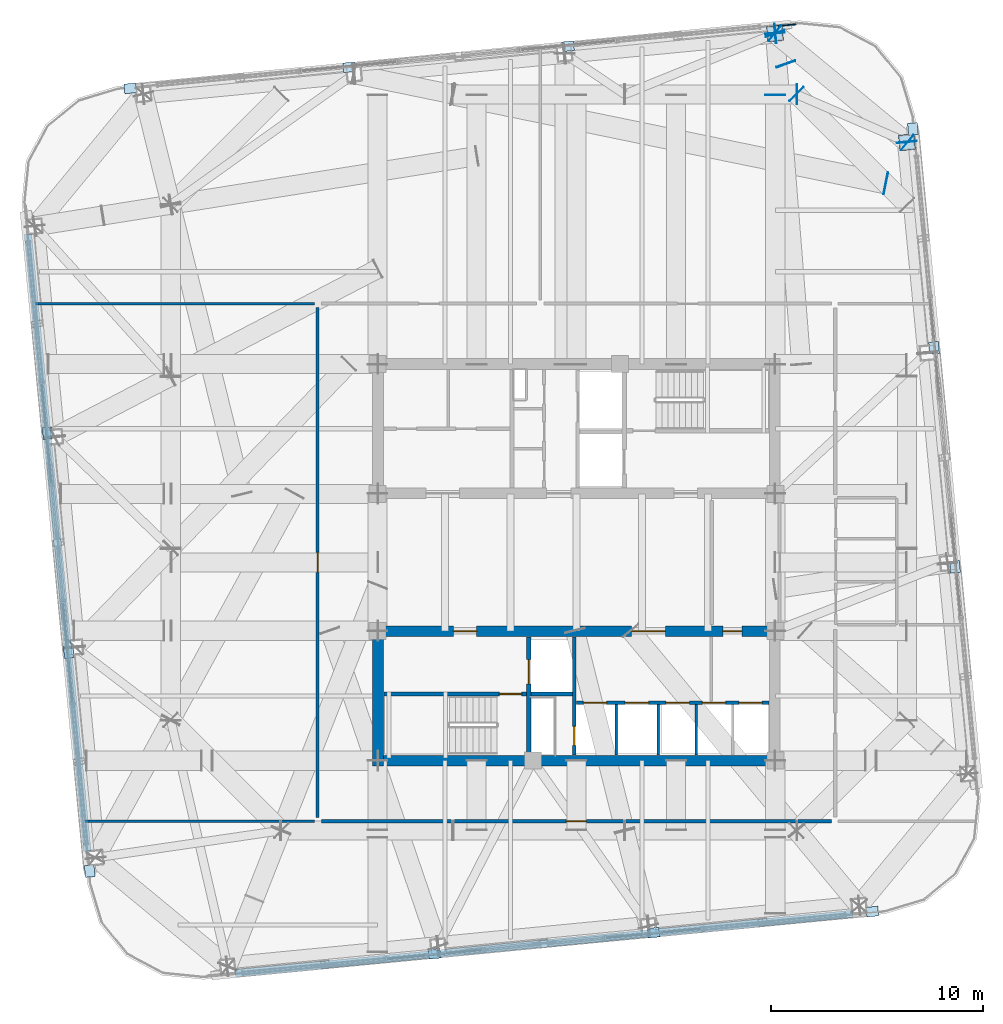
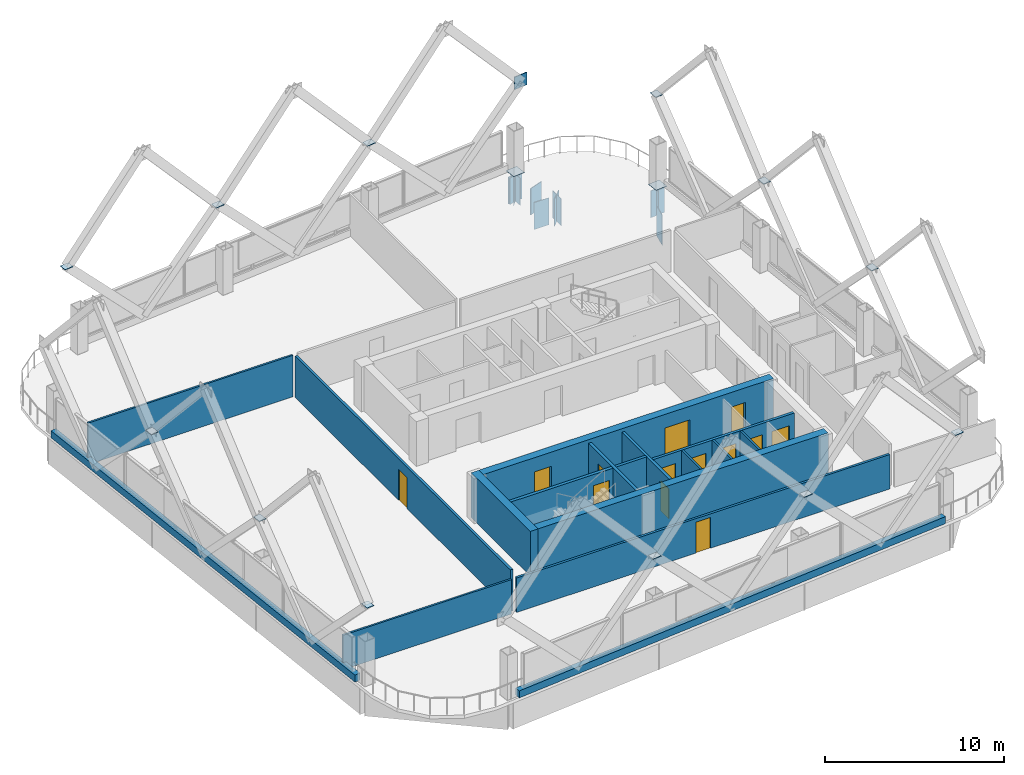
# One storey, part 32 of 37: 26 plates, 17 walls, 13 doors, 13 openings.
"""IFC4 building model written with IfcOpenShell, lengths in metres."""

from ifc_helpers import new_model, si_unit, direction, frame, frame_2d, origin, origin_2d, place, context, subcontext, project, spatial, rectangle, extrude, material, layer, layer_set, type_object, element, fill, save


model = new_model("IFC4")

# Units and contexts
model_context = context("Model", 3, precision=1e-05, world=origin(), true_north=direction((0.0, 1.0)))
body_context = subcontext(model_context, "Body", "Model", "MODEL_VIEW")
ifc_project = project(units=[si_unit("LENGTHUNIT", "METRE"), si_unit("AREAUNIT", "SQUARE_METRE"), si_unit("VOLUMEUNIT", "CUBIC_METRE"), si_unit("PLANEANGLEUNIT", "RADIAN"), si_unit("MASSUNIT", "GRAM", prefix="KILO")], contexts=[model_context])

# Site, building, storey
site_placement = place(None, origin())
site = spatial("IfcSite", under=ifc_project, at=site_placement, CompositionType="ELEMENT")
building_placement = place(site_placement, origin())
building = spatial("IfcBuilding", under=site, at=building_placement, Name="Qhalaya Broadcast Tower", CompositionType="ELEMENT")
storey_placement = place(building_placement, frame((0.0, 0.0, 156.14990234375)))
storey = spatial("IfcBuildingStorey", under=building, at=storey_placement, Name="L45", CompositionType="ELEMENT", Elevation=156.14990234375)

# Plates
ifc_material_1 = material(Name="Structural Steel ASTM A572 Grade 50", Category="steel")
ifc_layer_1 = layer(ifc_material_1, 0.054931640625, Name="Structural Steel ASTM A572 Grade 50")
ifc_layer_set_1 = layer_set([ifc_layer_1], Name="Structural Steel ASTM A572 Grade 50")
plate_type_1 = type_object("IfcPlateType", Name="Exoskeleton Diamond Node Gusset Plate NP-01", PredefinedType="USERDEFINED", material=ifc_layer_set_1)
plate_1_placement = place(storey_placement, frame((9.926513671875, 25.923828125, 5.31494140625), z_axis=(0.0, 0.0, 1.0), x_axis=(0.995396198367, 0.09584575252, 0.0)))
element("IfcPlate", 1, at=plate_1_placement, inside=storey, type_object=plate_type_1, Name="Exoskeleton Diamond Node B4-N1-MDL", ObjectType="GUSSET_PLATE", PredefinedType="USERDEFINED", context=body_context, shape_type="SweptSolid", body=[
    extrude(rectangle(XDim=0.85009765625, YDim=0.054931640625, at=origin_2d()), origin(), (0.0, 0.0, 1.0), 0.85009765625),
])
ifc_layer_2 = layer(ifc_material_1, 0.4599609375, Name="Structural Steel ASTM A572 Grade 50")
ifc_layer_set_2 = layer_set([ifc_layer_2], Name="Structural Steel ASTM A572 Grade 50")
plate_type_2 = type_object("IfcPlateType", Name="Hollow Box Member End Cap Plate CP-01", PredefinedType="USERDEFINED", material=ifc_layer_set_2)
for number, where, z_axis, x_axis, name in (
    (2, (15.58056640625, 20.416259765625, -2.0400390625), (0.0, 0.0, 1.0), (-0.995396198367, -0.09584575252, 0.0), "L45 Hollow Girder End Cap L45-SPR-07-B"),
    (3, (15.59423828125, 20.39013671875, -2.0400390625), (0.0, 0.0, 1.0), (-0.636078220278, -0.771624583388, 0.0), "L45 Hollow Girder End Cap L45-SPR-08-A"),
    (4, (9.349609375, 25.5380859375, -2.0400390625), (0.0, 0.0, 1.0), (-0.636078220278, -0.771624583388, 0.0), "L45 Hollow Girder End Cap L45-SPR-08-B"),
    (5, (9.3779296875, 25.529296875, -2.0400390625), (0.0, 0.0, 1.0), (0.09584575252, -0.995396198367, 0.0), "L45 Hollow Girder End Cap L45-SPR-09-A"),
    (6, (10.36865234375, 22.67138671875, -2.0400390625), (0.0, 0.0, 1.0), (-0.707106781187, -0.707106781187, 0.0), "L45 Hollow Girder End Cap L45-TGL-08-B"),
    (7, (10.39599609375, 22.659912109375, -2.0400390625), (0.0, 0.0, 1.0), (0.0, -1.0, 0.0), "L45 Hollow Girder End Cap L45-TGL-09-A"),
    (8, (9.375, 22.635986328125, -2.0400390625), (0.0, 0.0, 1.0), (-1.0, 0.0, 0.0), "L45 Hollow Girder End Cap L45-TGINE-1-B"),
    (9, (9.360595703125, 25.543701171875, -2.0400390625), (0.0, 0.0, 1.0), (-0.996859552373, -0.079189853156, 0.0), "L45 Hollow Girder End Cap L45-TGA-09-B"),
):
    element("IfcPlate", number, at=place(storey_placement, frame(where, z_axis=z_axis, x_axis=x_axis)), inside=storey, type_object=plate_type_2, Name=name, ObjectType="COVER_PLATE", PredefinedType="USERDEFINED", context=body_context, shape_type="SweptSolid", body=[
        extrude(rectangle(XDim=0.93994140625, YDim=0.031982421875, at=origin_2d()), origin(), (0.0, 0.0, 1.0), 1.840087890625),
    ])
plate_2_placement = place(storey_placement, frame((9.362060546875, 25.52783203125, -2.02001953125), z_axis=(0.0, 0.0, 1.0), x_axis=(-0.942384867896, -0.334530657431, 0.0)))
element("IfcPlate", 10, at=plate_2_placement, inside=storey, type_object=plate_type_2, Name="L45 Transfer Box End Cap 09", ObjectType="COVER_PLATE", PredefinedType="USERDEFINED", context=body_context, shape_type="SweptSolid", body=[
    extrude(rectangle(XDim=0.919921875, YDim=0.035888671875, at=origin_2d()), origin(), (0.0, 0.0, 1.0), 1.800048828125),
])
plate_3_placement = place(storey_placement, frame((14.58447265625, 18.468017578125, -2.239990234375), z_axis=(0.0, 0.0, 1.0), x_axis=(-0.201248886216, -0.979540139962, 0.0)))
element("IfcPlate", 11, at=plate_3_placement, inside=storey, type_object=plate_type_2, Name="L45 Hollow Girder End Cap L45-TGA-11-A", ObjectType="COVER_PLATE", PredefinedType="USERDEFINED", context=body_context, shape_type="SweptSolid", body=[
    extrude(rectangle(XDim=1.0400390625, YDim=0.031982421875, at=origin_2d()), origin(), (0.0, 0.0, 1.0), 2.0400390625),
])
for number, where, z_axis, x_axis, name in (
    (12, (15.58203125, 20.400390625, -0.03173828125), (0.0, 0.0, 1.0), (-0.09584575252, 0.995396198367, 0.0), "L45 Hollow Box Column Base Cap Plate COL-EX08"),
    (13, (9.362060546875, 25.52783203125, -0.03173828125), (0.0, 0.0, 1.0), (0.995396198367, 0.09584575252, 0.0), "L45 Hollow Box Column Base Cap Plate COL-EX09"),
):
    element("IfcPlate", number, at=place(storey_placement, frame(where, z_axis=z_axis, x_axis=x_axis)), inside=storey, type_object=plate_type_2, Name=name, ObjectType="COVER_PLATE", PredefinedType="USERDEFINED", context=body_context, shape_type="SweptSolid", body=[
        extrude(rectangle(XDim=0.739990234375, YDim=0.739990234375, at=origin_2d()), origin(), (0.0, 0.0, 1.0), 0.031982421875),
    ])
for number, where, z_axis, x_axis, name in (
    (14, (-6.687744140625, -17.85009765625, 5.72412109375), (0.0, 0.0, 1.0), (0.995396198367, 0.09584575252, 0.0), "Exoskeleton Hollow End Cap B4-S1"),
    (15, (3.63134765625, -16.856689453125, 5.72412109375), (0.0, 0.0, 1.0), (0.995396198367, 0.09584575252, 0.0), "Exoskeleton Hollow End Cap B4-S2"),
    (16, (13.9501953125, -15.863037109375, 5.72412109375), (0.0, 0.0, 1.0), (0.995396198367, 0.09584575252, 0.0), "Exoskeleton Hollow End Cap B4-S3"),
    (17, (17.85009765625, 0.392333984375, 5.72412109375), (0.0, 0.0, 1.0), (-0.09584575252, 0.995396198367, 0.0), "Exoskeleton Hollow End Cap B4-E1"),
    (18, (16.856689453125, 10.711181640625, 5.72412109375), (0.0, 0.0, 1.0), (-0.09584575252, 0.995396198367, 0.0), "Exoskeleton Hollow End Cap B4-E2"),
    (19, (15.863037109375, 21.0302734375, 5.72412109375), (0.0, 0.0, 1.0), (-0.09584575252, 0.995396198367, 0.0), "Exoskeleton Hollow End Cap B4-E3"),
    (20, (-0.392333984375, 24.93017578125, 5.72412109375), (0.0, 0.0, 1.0), (0.995396198367, 0.09584575252, 0.0), "Exoskeleton Hollow End Cap B4-N1"),
    (21, (-10.711181640625, 23.9365234375, 5.72412109375), (0.0, 0.0, 1.0), (0.995396198367, 0.09584575252, 0.0), "Exoskeleton Hollow End Cap B4-N2"),
    (22, (-21.0302734375, 22.943115234375, 5.72412109375), (0.0, 0.0, 1.0), (0.995396198367, 0.09584575252, 0.0), "Exoskeleton Hollow End Cap B4-N3"),
    (23, (-24.93017578125, 6.687744140625, 5.72412109375), (0.0, 0.0, 1.0), (-0.09584575252, 0.995396198367, 0.0), "Exoskeleton Hollow End Cap B4-W1"),
    (24, (-23.9365234375, -3.63134765625, 5.72412109375), (0.0, 0.0, 1.0), (-0.09584575252, 0.995396198367, 0.0), "Exoskeleton Hollow End Cap B4-W2"),
    (25, (-22.943115234375, -13.9501953125, 5.72412109375), (0.0, 0.0, 1.0), (-0.09584575252, 0.995396198367, 0.0), "Exoskeleton Hollow End Cap B4-W3"),
):
    element("IfcPlate", number, at=place(storey_placement, frame(where, z_axis=z_axis, x_axis=x_axis)), inside=storey, type_object=plate_type_2, Name=name, ObjectType="COVER_PLATE", PredefinedType="USERDEFINED", context=body_context, shape_type="SweptSolid", body=[
        extrude(rectangle(XDim=0.56005859375, YDim=0.4599609375, at=origin_2d()), origin(), (0.0, 0.0, 1.0), 0.031982421875),
    ])
ifc_layer_3 = layer(ifc_material_1, 0.044921875, Name="Structural Steel ASTM A572 Grade 50")
ifc_layer_set_3 = layer_set([ifc_layer_3], Name="Structural Steel ASTM A572 Grade 50")
plate_type_3 = type_object("IfcPlateType", Name="Transfer Girder Web Stiffener Plate WS-01", PredefinedType="USERDEFINED", material=ifc_layer_set_3)
plate_4_placement = place(storey_placement, frame((9.87109375, 24.093994140625, -2.02001953125), z_axis=(0.0, 0.0, 1.0), x_axis=(-0.942384867896, -0.334530657431, 0.0)))
element("IfcPlate", 26, at=plate_4_placement, inside=storey, type_object=plate_type_3, Name="L45 Transfer Girder Stiffener 09", ObjectType="STIFFENER_PLATE", PredefinedType="USERDEFINED", context=body_context, shape_type="SweptSolid", body=[
    extrude(rectangle(XDim=0.93994140625, YDim=0.044921875, at=origin_2d()), origin(), (0.0, 0.0, 1.0), 1.800048828125),
])

# Wall, opening, door
ifc_material_2 = material(Name="Gypsum Acoustic Partition")
ifc_layer_4 = layer(ifc_material_2, 0.14990234375, Name="Gypsum Acoustic Partition")
ifc_layer_set_4 = layer_set([ifc_layer_4], Name="Gypsum Acoustic Partition")
wall_type_1 = type_object("IfcWallType", Name="Corridor & Tenancy Acoustic Partition 150", PredefinedType="PARTITIONING", material=ifc_layer_set_4)
wall_1_placement = place(storey_placement, frame((-12.02001953125, -11.60009765625, 0.0), z_axis=(0.0, 0.0, 1.0), x_axis=(1.0, 0.0, 0.0)))
wall_1 = element("IfcWall", 27, at=wall_1_placement, inside=storey, type_object=wall_type_1, Name="L45 Partition Wall W-COR-03", PredefinedType="PARTITIONING", context=body_context, shape_type="SweptSolid", body=[
    extrude(rectangle(XDim=24.0400390625, YDim=0.14990234375, at=frame_2d((12.02001953125, 0.0))), origin(), (0.0, 0.0, 1.0), 2.34716796875),
])
opening_1_placement = place(wall_1_placement, frame((11.544921875, 0.0, 0.0)))
opening_1 = element("IfcOpeningElement", 28, at=opening_1_placement, cuts=wall_1, Name="Opening D10", PredefinedType="OPENING", context=body_context, shape_type="SweptSolid", body=[
    extrude(rectangle(XDim=0.949951171875, YDim=2.10009765625, at=frame_2d((0.47509765625, 1.050048828125))), frame((0.0, 0.0869140625, 0.0), z_axis=(0.0, -1.0, 0.0), x_axis=(1.0, 0.0, 0.0)), (0.0, 0.0, 1.0), 0.173828125),
])
ifc_material_3 = material(Name="Timber Veneer Acoustic Door", Category="wood")
door_type_1 = type_object("IfcDoorType", Name="Cellular Office & Edit Booth Door D10", OperationType="NOTDEFINED", PredefinedType="DOOR", material=ifc_material_3)
door_1_placement = place(opening_1_placement, origin())
door_1 = element("IfcDoor", 29, at=door_1_placement, inside=storey, type_object=door_type_1, Name="L45 Door D-RM03", OperationType="SINGLE_SWING_LEFT", OverallHeight=2.10009765625, OverallWidth=0.949951171875, PredefinedType="DOOR", context=body_context, shape_type="SweptSolid", body=[
    extrude(rectangle(XDim=0.949951171875, YDim=2.10009765625, at=frame_2d((0.47509765625, 1.050048828125))), frame((0.0, 0.02490234375, 0.0), z_axis=(0.0, -1.0, 0.0), x_axis=(1.0, 0.0, 0.0)), (0.0, 0.0, 1.0), 0.050048828125),
])
fill(opening_1, door_1)

wall_2_placement = place(storey_placement, frame((-12.199951171875, -11.419921875, 0.0), z_axis=(0.0, 0.0, 1.0), x_axis=(0.0, 1.0, 0.0)))
wall_2 = element("IfcWall", 30, at=wall_2_placement, inside=storey, type_object=wall_type_1, Name="L45 Partition Wall W-COR-04", PredefinedType="PARTITIONING", context=body_context, shape_type="SweptSolid", body=[
    extrude(rectangle(XDim=24.0400390625, YDim=0.14990234375, at=frame_2d((12.02001953125, 0.0))), origin(), (0.0, 0.0, 1.0), 2.830078125),
])
opening_2_placement = place(wall_2_placement, frame((11.544921875, 0.0, 0.0)))
opening_2 = element("IfcOpeningElement", 31, at=opening_2_placement, cuts=wall_2, Name="Opening D10", PredefinedType="OPENING", context=body_context, shape_type="SweptSolid", body=[
    extrude(rectangle(XDim=0.949951171875, YDim=2.10009765625, at=frame_2d((0.47509765625, 1.050048828125))), frame((0.0, 0.0869140625, 0.0), z_axis=(0.0, -1.0, 0.0), x_axis=(1.0, 0.0, 0.0)), (0.0, 0.0, 1.0), 0.173828125),
])
door_2_placement = place(opening_2_placement, origin())
door_2 = element("IfcDoor", 32, at=door_2_placement, inside=storey, type_object=door_type_1, Name="L45 Door D-RM04", OperationType="SINGLE_SWING_RIGHT", OverallHeight=2.10009765625, OverallWidth=0.949951171875, PredefinedType="DOOR", context=body_context, shape_type="SweptSolid", body=[
    extrude(rectangle(XDim=0.949951171875, YDim=2.10009765625, at=frame_2d((0.47509765625, 1.050048828125))), frame((0.0, 0.02490234375, 0.0), z_axis=(0.0, -1.0, 0.0), x_axis=(1.0, 0.0, 0.0)), (0.0, 0.0, 1.0), 0.050048828125),
])
fill(opening_2, door_2)

# Walls
ifc_material_4 = material(Name="Precast Concrete C40/50", Category="concrete")
ifc_layer_5 = layer(ifc_material_4, 0.360107421875, Name="Precast Concrete C40/50")
ifc_layer_set_5 = layer_set([ifc_layer_5], Name="Precast Concrete C40/50")
wall_type_2 = type_object("IfcWallType", Name="Insulated Precast Terracotta Exterior Wall 360", PredefinedType="SOLIDWALL", material=ifc_layer_set_5)
for number, where, z_axis, x_axis, name in (
    (33, (13.018310546875, -15.972900390625, 0.0), (0.0, 0.0, 1.0), (-0.995396867916, -0.09583879873, 0.0), "L45 Cantilever Block Sill Spandrel S"),
    (34, (-23.052734375, -13.018310546875, 0.0), (0.0, 0.0, 1.0), (-0.095847076136, 0.995396070917, 0.0), "L45 Cantilever Block Sill Spandrel W"),
):
    element("IfcWall", number, at=place(storey_placement, frame(where, z_axis=z_axis, x_axis=x_axis)), inside=storey, type_object=wall_type_2, Name=name, PredefinedType="SOLIDWALL", context=body_context, shape_type="SweptSolid", body=[
        extrude(rectangle(XDim=29.223876953125, YDim=0.360107421875, at=frame_2d((14.61181640625, 0.0))), origin(), (0.0, 0.0, 1.0), 0.47998046875),
    ])

# Wall, opening, door
ifc_material_5 = material(Name="Concrete C50/60", Category="concrete")
ifc_layer_6 = layer(ifc_material_5, 0.199951171875, Name="Concrete C50/60")
ifc_layer_set_6 = layer_set([ifc_layer_6], Name="Concrete C50/60")
wall_type_3 = type_object("IfcWallType", Name="Load-Bearing Stair Shaft Wall 200", PredefinedType="SHEAR", material=ifc_layer_set_6)
wall_3_placement = place(storey_placement, frame((-9.080078125, -5.60498046875, 0.0), z_axis=(0.0, 0.0, 1.0), x_axis=(1.0, 0.0, 0.0)))
wall_3 = element("IfcWall", 35, at=wall_3_placement, inside=storey, type_object=wall_type_3, Name="L45 Stair Core Shear Wall SCW-ST2", PredefinedType="SHEAR", context=body_context, shape_type="SweptSolid", body=[
    extrude(rectangle(XDim=6.719970703125, YDim=0.199951171875, at=frame_2d((3.35986328125, 0.0))), origin(), (0.0, 0.0, 1.0), 2.830078125),
])
opening_3_placement = place(wall_3_placement, frame((5.449951171875, 0.0, 0.0)))
opening_3 = element("IfcOpeningElement", 36, at=opening_3_placement, cuts=wall_3, Name="Opening D03", PredefinedType="OPENING", context=body_context, shape_type="SweptSolid", body=[
    extrude(rectangle(XDim=1.050048828125, YDim=2.080078125, at=frame_2d((0.52490234375, 1.0400390625))), frame((0.0, 0.112060546875, 0.0), z_axis=(0.0, -1.0, 0.0), x_axis=(1.0, 0.0, 0.0)), (0.0, 0.0, 1.0), 0.223876953125),
])
ifc_material_6 = material(Name="Fire-Rated Steel Door", Category="steel")
door_type_2 = type_object("IfcDoorType", Name="Core Stair Protected Fire Door D03", OperationType="NOTDEFINED", PredefinedType="DOOR", material=ifc_material_6)
door_3_placement = place(opening_3_placement, origin())
door_3 = element("IfcDoor", 37, at=door_3_placement, inside=storey, type_object=door_type_2, Name="L45 Door D-SST2", OperationType="SINGLE_SWING_RIGHT", OverallHeight=2.080078125, OverallWidth=1.050048828125, PredefinedType="DOOR", context=body_context, shape_type="SweptSolid", body=[
    extrude(rectangle(XDim=1.050048828125, YDim=2.080078125, at=frame_2d((0.52490234375, 1.0400390625))), frame((0.0, 0.02490234375, 0.0), z_axis=(0.0, -1.0, 0.0), x_axis=(1.0, 0.0, 0.0)), (0.0, 0.0, 1.0), 0.050048828125),
])
fill(opening_3, door_3)

wall_4_placement = place(storey_placement, frame((-2.25, -8.47998046875, 0.0), z_axis=(0.0, 0.0, 1.0), x_axis=(0.0, 1.0, 0.0)))
wall_4 = element("IfcWall", 38, at=wall_4_placement, inside=storey, type_object=wall_type_3, Name="L45 Stair Core Shear Wall SCW-FF", PredefinedType="SHEAR", context=body_context, shape_type="SweptSolid", body=[
    extrude(rectangle(XDim=5.56005859375, YDim=0.199951171875, at=frame_2d((2.780029296875, 0.0))), origin(), (0.0, 0.0, 1.0), 2.830078125),
])
opening_4_placement = place(wall_4_placement, frame((3.35009765625, 0.0, 0.0)))
opening_4 = element("IfcOpeningElement", 39, at=opening_4_placement, cuts=wall_4, Name="Opening LD2", PredefinedType="OPENING", context=body_context, shape_type="SweptSolid", body=[
    extrude(rectangle(XDim=1.14990234375, YDim=2.080078125, at=frame_2d((0.574951171875, 1.0400390625))), frame((0.0, 0.112060546875, 0.0), z_axis=(0.0, -1.0, 0.0), x_axis=(1.0, 0.0, 0.0)), (0.0, 0.0, 1.0), 0.223876953125),
])
ifc_material_7 = material(Name="Brushed Stainless Steel Lift Door", Category="steel")
door_type_3 = type_object("IfcDoorType", Name="Firefighting Lift Sliding Landing Door LD2", OperationType="DOUBLE_DOOR_SLIDING", PredefinedType="DOOR", material=ifc_material_7)
door_4_placement = place(opening_4_placement, origin())
door_4 = element("IfcDoor", 40, at=door_4_placement, inside=storey, type_object=door_type_3, Name="L45 Door LD-FF2", OperationType="DOUBLE_DOOR_SLIDING", OverallHeight=2.080078125, OverallWidth=1.14990234375, PredefinedType="DOOR", context=body_context, shape_type="SweptSolid", body=[
    extrude(rectangle(XDim=1.14990234375, YDim=2.080078125, at=frame_2d((0.574951171875, 1.0400390625))), frame((0.0, 0.02490234375, 0.0), z_axis=(0.0, -1.0, 0.0), x_axis=(1.0, 0.0, 0.0)), (0.0, 0.0, 1.0), 0.050048828125),
])
fill(opening_4, door_4)

# Wall
ifc_layer_7 = layer(ifc_material_5, 0.5, Name="Concrete C50/60")
ifc_layer_set_7 = layer_set([ifc_layer_7], Name="Concrete C50/60")
wall_type_4 = type_object("IfcWallType", Name="Mid Split-Core Shear Wall 500", PredefinedType="SHEAR", material=ifc_layer_set_7)
wall_5_placement = place(storey_placement, frame((-9.60009765625, -8.75, 0.0), z_axis=(0.0, 0.0, 1.0), x_axis=(1.0, 0.0, 0.0)))
element("IfcWall", 41, at=wall_5_placement, inside=storey, type_object=wall_type_4, Name="L45 Split-Core Shear Wall CW-SS", PredefinedType="SHEAR", context=body_context, shape_type="SweptSolid", body=[
    extrude(rectangle(XDim=19.2001953125, YDim=0.5, at=frame_2d((9.60009765625, 0.0))), origin(), (0.0, 0.0, 1.0), 3.050048828125),
])

# Wall, openings, doors
wall_6_placement = place(storey_placement, frame((-9.60009765625, -2.64990234375, 0.0), z_axis=(0.0, 0.0, 1.0), x_axis=(1.0, 0.0, 0.0)))
wall_6 = element("IfcWall", 42, at=wall_6_placement, inside=storey, type_object=wall_type_4, Name="L45 Split-Core Shear Wall CW-SN", PredefinedType="SHEAR", context=body_context, shape_type="SweptSolid", body=[
    extrude(rectangle(XDim=19.2001953125, YDim=0.5, at=frame_2d((9.60009765625, 0.0))), origin(), (0.0, 0.0, 1.0), 3.050048828125),
])
opening_5_placement = place(wall_6_placement, frame((3.800048828125, 0.0, 0.0)))
opening_5 = element("IfcOpeningElement", 43, at=opening_5_placement, cuts=wall_6, Name="Opening D04", PredefinedType="OPENING", context=body_context, shape_type="SweptSolid", body=[
    extrude(rectangle(XDim=1.10009765625, YDim=2.080078125, at=frame_2d((0.550048828125, 1.0400390625))), frame((0.0, 0.261962890625, 0.0), z_axis=(0.0, -1.0, 0.0), x_axis=(1.0, 0.0, 0.0)), (0.0, 0.0, 1.0), 0.52392578125),
])
opening_6_placement = place(wall_6_placement, frame((12.199951171875, 0.0, 0.0)))
opening_6 = element("IfcOpeningElement", 44, at=opening_6_placement, cuts=wall_6, Name="Opening D07", PredefinedType="OPENING", context=body_context, shape_type="SweptSolid", body=[
    extrude(rectangle(XDim=1.60009765625, YDim=2.1201171875, at=frame_2d((0.800048828125, 1.06005859375))), frame((0.0, 0.261962890625, 0.0), z_axis=(0.0, -1.0, 0.0), x_axis=(1.0, 0.0, 0.0)), (0.0, 0.0, 1.0), 0.52392578125),
])
opening_7_placement = place(wall_6_placement, frame((16.5, 0.0, 0.0)))
opening_7 = element("IfcOpeningElement", 45, at=opening_7_placement, cuts=wall_6, Name="Opening D06", PredefinedType="OPENING", context=body_context, shape_type="SweptSolid", body=[
    extrude(rectangle(XDim=0.89990234375, YDim=2.050048828125, at=frame_2d((0.449951171875, 1.02490234375))), frame((0.0, 0.261962890625, 0.0), z_axis=(0.0, -1.0, 0.0), x_axis=(1.0, 0.0, 0.0)), (0.0, 0.0, 1.0), 0.52392578125),
])
door_type_4 = type_object("IfcDoorType", Name="Firefighting Lobby Rated Door D04", OperationType="NOTDEFINED", PredefinedType="DOOR", material=ifc_material_6)
door_5_placement = place(opening_5_placement, origin())
door_5 = element("IfcDoor", 46, at=door_5_placement, inside=storey, type_object=door_type_4, Name="L45 Door D-SFF", OperationType="SINGLE_SWING_LEFT", OverallHeight=2.080078125, OverallWidth=1.10009765625, PredefinedType="DOOR", context=body_context, shape_type="SweptSolid", body=[
    extrude(rectangle(XDim=1.10009765625, YDim=2.080078125, at=frame_2d((0.550048828125, 1.0400390625))), frame((0.0, 0.02490234375, 0.0), z_axis=(0.0, -1.0, 0.0), x_axis=(1.0, 0.0, 0.0)), (0.0, 0.0, 1.0), 0.050048828125),
])
fill(opening_5, door_5)
ifc_material_8 = material(Name="Anodised Aluminium Glazed Door", Category="aluminium")
door_type_5 = type_object("IfcDoorType", Name="Passenger Lift Lobby Double Glazed Door D07", OperationType="DOUBLE_DOOR_SINGLE_SWING", PredefinedType="DOOR", material=ifc_material_8)
door_6_placement = place(opening_6_placement, origin())
door_6 = element("IfcDoor", 47, at=door_6_placement, inside=storey, type_object=door_type_5, Name="L45 Door D-SPLL", OperationType="DOUBLE_DOOR_SINGLE_SWING", OverallHeight=2.1201171875, OverallWidth=1.60009765625, PredefinedType="DOOR", context=body_context, shape_type="SweptSolid", body=[
    extrude(rectangle(XDim=1.60009765625, YDim=2.1201171875, at=frame_2d((0.800048828125, 1.06005859375))), frame((0.0, 0.02490234375, 0.0), z_axis=(0.0, -1.0, 0.0), x_axis=(1.0, 0.0, 0.0)), (0.0, 0.0, 1.0), 0.050048828125),
])
fill(opening_6, door_6)
door_type_6 = type_object("IfcDoorType", Name="Riser & Electrical Shaft Access Door D06", OperationType="NOTDEFINED", PredefinedType="DOOR", material=ifc_material_6)
door_7_placement = place(opening_7_placement, origin())
door_7 = element("IfcDoor", 48, at=door_7_placement, inside=storey, type_object=door_type_6, Name="L45 Door D-SSCST", OperationType="SINGLE_SWING_LEFT", OverallHeight=2.050048828125, OverallWidth=0.89990234375, PredefinedType="DOOR", context=body_context, shape_type="SweptSolid", body=[
    extrude(rectangle(XDim=0.89990234375, YDim=2.050048828125, at=frame_2d((0.449951171875, 1.02490234375))), frame((0.0, 0.02490234375, 0.0), z_axis=(0.0, -1.0, 0.0), x_axis=(1.0, 0.0, 0.0)), (0.0, 0.0, 1.0), 0.050048828125),
])
fill(opening_7, door_7)

# Walls
wall_7_placement = place(storey_placement, frame((-9.35009765625, -9.0, 0.0), z_axis=(0.0, 0.0, 1.0), x_axis=(0.0, 1.0, 0.0)))
element("IfcWall", 49, at=wall_7_placement, inside=storey, type_object=wall_type_4, Name="L45 Split-Core Shear Wall CW-SW", PredefinedType="SHEAR", context=body_context, shape_type="SweptSolid", body=[
    extrude(rectangle(XDim=6.60009765625, YDim=0.5, at=frame_2d((3.300048828125, 0.0))), origin(), (0.0, 0.0, 1.0), 3.050048828125),
])
ifc_layer_8 = layer(ifc_material_2, 0.1201171875, Name="Gypsum Acoustic Partition")
ifc_layer_set_8 = layer_set([ifc_layer_8], Name="Gypsum Acoustic Partition")
wall_type_5 = type_object("IfcWallType", Name="Office, Booth & Sanitary Partition 120", PredefinedType="PARTITIONING", material=ifc_layer_set_8)
for number, where, z_axis, x_axis, name in (
    (50, (1.8798828125, -8.47998046875, 0.0), (0.0, 0.0, 1.0), (0.0, 1.0, 0.0), "L45 Partition Wall SCW-MD4"),
    (51, (3.85009765625, -8.47998046875, 0.0), (0.0, 0.0, 1.0), (0.0, 1.0, 0.0), "L45 Partition Wall SCW-MD5"),
    (52, (5.639892578125, -8.47998046875, 0.0), (0.0, 0.0, 1.0), (0.0, 1.0, 0.0), "L45 Partition Wall SCW-HD6"),
):
    element("IfcWall", number, at=place(storey_placement, frame(where, z_axis=z_axis, x_axis=x_axis)), inside=storey, type_object=wall_type_5, Name=name, PredefinedType="PARTITIONING", context=body_context, shape_type="SweptSolid", body=[
        extrude(rectangle(XDim=2.3798828125, YDim=0.1201171875, at=frame_2d((1.18994140625, 0.0))), origin(), (0.0, 0.0, 1.0), 2.830078125),
    ])
wall_8_placement = place(storey_placement, frame((-25.558837890625, 12.800048828125, 0.0), z_axis=(0.0, 0.0, 1.0), x_axis=(1.0, 0.0, 0.0)))
element("IfcWall", 53, at=wall_8_placement, inside=storey, type_object=wall_type_5, Name="L45 Partition Wall W-BNDW1", PredefinedType="PARTITIONING", context=body_context, shape_type="SweptSolid", body=[
    extrude(rectangle(XDim=13.21875, YDim=0.1201171875, at=frame_2d((6.609375, 0.0))), origin(), (0.0, 0.0, 1.0), 2.830078125),
])
wall_9_placement = place(storey_placement, frame((-23.20947265625, -11.60009765625, 0.0), z_axis=(0.0, 0.0, 1.0), x_axis=(1.0, 0.0, 0.0)))
element("IfcWall", 54, at=wall_9_placement, inside=storey, type_object=wall_type_5, Name="L45 Partition Wall W-BNDW2", PredefinedType="PARTITIONING", context=body_context, shape_type="SweptSolid", body=[
    extrude(rectangle(XDim=10.869384765625, YDim=0.1201171875, at=frame_2d((5.4345703125, 0.0))), origin(), (0.0, 0.0, 1.0), 2.34716796875),
])

# Wall, opening, door
ifc_layer_9 = layer(ifc_material_2, 0.175048828125, Name="Gypsum Acoustic Partition")
ifc_layer_set_9 = layer_set([ifc_layer_9], Name="Gypsum Acoustic Partition")
wall_type_6 = type_object("IfcWallType", Name="Shaft & Riser Fire Partition 175", PredefinedType="PARTITIONING", material=ifc_layer_set_9)
wall_10_placement = place(storey_placement, frame((-0.10009765625, -8.47998046875, 0.0), z_axis=(0.0, 0.0, 1.0), x_axis=(0.0, 1.0, 0.0)))
wall_10 = element("IfcWall", 55, at=wall_10_placement, inside=storey, type_object=wall_type_6, Name="L45 Partition Wall SCW-FFE", PredefinedType="PARTITIONING", context=body_context, shape_type="SweptSolid", body=[
    extrude(rectangle(XDim=5.56005859375, YDim=0.175048828125, at=frame_2d((2.780029296875, 0.0))), origin(), (0.0, 0.0, 1.0), 2.830078125),
])
opening_8_placement = place(wall_10_placement, frame((0.449951171875, 0.0, 0.0)))
opening_8 = element("IfcOpeningElement", 56, at=opening_8_placement, cuts=wall_10, Name="Opening D06", PredefinedType="OPENING", context=body_context, shape_type="SweptSolid", body=[
    extrude(rectangle(XDim=0.89990234375, YDim=2.050048828125, at=frame_2d((0.449951171875, 1.02490234375))), frame((0.0, 0.099609375, 0.0), z_axis=(0.0, -1.0, 0.0), x_axis=(1.0, 0.0, 0.0)), (0.0, 0.0, 1.0), 0.198974609375),
])
door_8_placement = place(opening_8_placement, origin())
door_8 = element("IfcDoor", 57, at=door_8_placement, inside=storey, type_object=door_type_6, Name="L45 Riser Shaft Access Door D-SRSR", OperationType="SINGLE_SWING_LEFT", OverallHeight=2.050048828125, OverallWidth=0.89990234375, PredefinedType="DOOR", context=body_context, shape_type="SweptSolid", body=[
    extrude(rectangle(XDim=0.89990234375, YDim=2.050048828125, at=frame_2d((0.449951171875, 1.02490234375))), frame((0.0, 0.02490234375, 0.0), z_axis=(0.0, -1.0, 0.0), x_axis=(1.0, 0.0, 0.0)), (0.0, 0.0, 1.0), 0.050048828125),
])
fill(opening_8, door_8)

# Wall
wall_11_placement = place(storey_placement, frame((-2.14990234375, -5.60009765625, 0.0), z_axis=(0.0, 0.0, 1.0), x_axis=(1.0, 0.0, 0.0)))
element("IfcWall", 58, at=wall_11_placement, inside=storey, type_object=wall_type_6, Name="L45 Partition Wall SCW-FFM", PredefinedType="PARTITIONING", context=body_context, shape_type="SweptSolid", body=[
    extrude(rectangle(XDim=1.969970703125, YDim=0.175048828125, at=frame_2d((0.98486328125, 0.0))), origin(), (0.0, 0.0, 1.0), 2.830078125),
])

# Wall, openings, doors
wall_12_placement = place(storey_placement, frame((0.0, -6.02001953125, 0.0), z_axis=(0.0, 0.0, 1.0), x_axis=(1.0, 0.0, 0.0)))
wall_12 = element("IfcWall", 59, at=wall_12_placement, inside=storey, type_object=wall_type_6, Name="L45 Partition Wall SCW-SLB", PredefinedType="PARTITIONING", context=body_context, shape_type="SweptSolid", body=[
    extrude(rectangle(XDim=9.080078125, YDim=0.175048828125, at=frame_2d((4.5400390625, 0.0))), origin(), (0.0, 0.0, 1.0), 2.830078125),
])
opening_9_placement = place(wall_12_placement, frame((0.330078125, 0.0, 0.0)))
opening_9 = element("IfcOpeningElement", 60, at=opening_9_placement, cuts=wall_12, Name="Opening LD1", PredefinedType="OPENING", context=body_context, shape_type="SweptSolid", body=[
    extrude(rectangle(XDim=1.10009765625, YDim=2.06005859375, at=frame_2d((0.550048828125, 1.030029296875))), frame((0.0, 0.099609375, 0.0), z_axis=(0.0, -1.0, 0.0), x_axis=(1.0, 0.0, 0.0)), (0.0, 0.0, 1.0), 0.198974609375),
])
opening_10_placement = place(wall_12_placement, frame((2.300048828125, 0.0, 0.0)))
opening_10 = element("IfcOpeningElement", 61, at=opening_10_placement, cuts=wall_12, Name="Opening LD1", PredefinedType="OPENING", context=body_context, shape_type="SweptSolid", body=[
    extrude(rectangle(XDim=1.10009765625, YDim=2.06005859375, at=frame_2d((0.550048828125, 1.030029296875))), frame((0.0, 0.099609375, 0.0), z_axis=(0.0, -1.0, 0.0), x_axis=(1.0, 0.0, 0.0)), (0.0, 0.0, 1.0), 0.198974609375),
])
opening_11_placement = place(wall_12_placement, frame((4.219970703125, 0.0, 0.0)))
opening_11 = element("IfcOpeningElement", 62, at=opening_11_placement, cuts=wall_12, Name="Opening LD1", PredefinedType="OPENING", context=body_context, shape_type="SweptSolid", body=[
    extrude(rectangle(XDim=1.10009765625, YDim=2.06005859375, at=frame_2d((0.550048828125, 1.030029296875))), frame((0.0, 0.099609375, 0.0), z_axis=(0.0, -1.0, 0.0), x_axis=(1.0, 0.0, 0.0)), (0.0, 0.0, 1.0), 0.198974609375),
])
opening_12_placement = place(wall_12_placement, frame((5.93994140625, 0.0, 0.0)))
opening_12 = element("IfcOpeningElement", 63, at=opening_12_placement, cuts=wall_12, Name="Opening LD1", PredefinedType="OPENING", context=body_context, shape_type="SweptSolid", body=[
    extrude(rectangle(XDim=1.10009765625, YDim=2.06005859375, at=frame_2d((0.550048828125, 1.030029296875))), frame((0.0, 0.099609375, 0.0), z_axis=(0.0, -1.0, 0.0), x_axis=(1.0, 0.0, 0.0)), (0.0, 0.0, 1.0), 0.198974609375),
])
opening_13_placement = place(wall_12_placement, frame((7.659912109375, 0.0, 0.0)))
opening_13 = element("IfcOpeningElement", 64, at=opening_13_placement, cuts=wall_12, Name="Opening LD1", PredefinedType="OPENING", context=body_context, shape_type="SweptSolid", body=[
    extrude(rectangle(XDim=1.10009765625, YDim=2.06005859375, at=frame_2d((0.550048828125, 1.030029296875))), frame((0.0, 0.099609375, 0.0), z_axis=(0.0, -1.0, 0.0), x_axis=(1.0, 0.0, 0.0)), (0.0, 0.0, 1.0), 0.198974609375),
])
door_type_7 = type_object("IfcDoorType", Name="Passenger Lift Sliding Landing Door LD1", OperationType="DOUBLE_DOOR_SLIDING", PredefinedType="DOOR", material=ifc_material_7)
door_9_placement = place(opening_9_placement, origin())
door_9 = element("IfcDoor", 65, at=door_9_placement, inside=storey, type_object=door_type_7, Name="L45 Door LD-P4", OperationType="DOUBLE_DOOR_SLIDING", OverallHeight=2.06005859375, OverallWidth=1.10009765625, PredefinedType="DOOR", context=body_context, shape_type="SweptSolid", body=[
    extrude(rectangle(XDim=1.10009765625, YDim=2.06005859375, at=frame_2d((0.550048828125, 1.030029296875))), frame((0.0, 0.02490234375, 0.0), z_axis=(0.0, -1.0, 0.0), x_axis=(1.0, 0.0, 0.0)), (0.0, 0.0, 1.0), 0.050048828125),
])
fill(opening_9, door_9)
door_10_placement = place(opening_10_placement, origin())
door_10 = element("IfcDoor", 66, at=door_10_placement, inside=storey, type_object=door_type_7, Name="L45 Door LD-P5", OperationType="DOUBLE_DOOR_SLIDING", OverallHeight=2.06005859375, OverallWidth=1.10009765625, PredefinedType="DOOR", context=body_context, shape_type="SweptSolid", body=[
    extrude(rectangle(XDim=1.10009765625, YDim=2.06005859375, at=frame_2d((0.550048828125, 1.030029296875))), frame((0.0, 0.02490234375, 0.0), z_axis=(0.0, -1.0, 0.0), x_axis=(1.0, 0.0, 0.0)), (0.0, 0.0, 1.0), 0.050048828125),
])
fill(opening_10, door_10)
door_11_placement = place(opening_11_placement, origin())
door_11 = element("IfcDoor", 67, at=door_11_placement, inside=storey, type_object=door_type_7, Name="L45 Door LD-P6", OperationType="DOUBLE_DOOR_SLIDING", OverallHeight=2.06005859375, OverallWidth=1.10009765625, PredefinedType="DOOR", context=body_context, shape_type="SweptSolid", body=[
    extrude(rectangle(XDim=1.10009765625, YDim=2.06005859375, at=frame_2d((0.550048828125, 1.030029296875))), frame((0.0, 0.02490234375, 0.0), z_axis=(0.0, -1.0, 0.0), x_axis=(1.0, 0.0, 0.0)), (0.0, 0.0, 1.0), 0.050048828125),
])
fill(opening_11, door_11)
door_12_placement = place(opening_12_placement, origin())
door_12 = element("IfcDoor", 68, at=door_12_placement, inside=storey, type_object=door_type_7, Name="L45 Door LD-P7", OperationType="DOUBLE_DOOR_SLIDING", OverallHeight=2.06005859375, OverallWidth=1.10009765625, PredefinedType="DOOR", context=body_context, shape_type="SweptSolid", body=[
    extrude(rectangle(XDim=1.10009765625, YDim=2.06005859375, at=frame_2d((0.550048828125, 1.030029296875))), frame((0.0, 0.02490234375, 0.0), z_axis=(0.0, -1.0, 0.0), x_axis=(1.0, 0.0, 0.0)), (0.0, 0.0, 1.0), 0.050048828125),
])
fill(opening_12, door_12)
door_13_placement = place(opening_13_placement, origin())
door_13 = element("IfcDoor", 69, at=door_13_placement, inside=storey, type_object=door_type_7, Name="L45 Door LD-P8", OperationType="DOUBLE_DOOR_SLIDING", OverallHeight=2.06005859375, OverallWidth=1.10009765625, PredefinedType="DOOR", context=body_context, shape_type="SweptSolid", body=[
    extrude(rectangle(XDim=1.10009765625, YDim=2.06005859375, at=frame_2d((0.550048828125, 1.030029296875))), frame((0.0, 0.02490234375, 0.0), z_axis=(0.0, -1.0, 0.0), x_axis=(1.0, 0.0, 0.0)), (0.0, 0.0, 1.0), 0.050048828125),
])
fill(opening_13, door_13)

save(model, "model.ifc")
